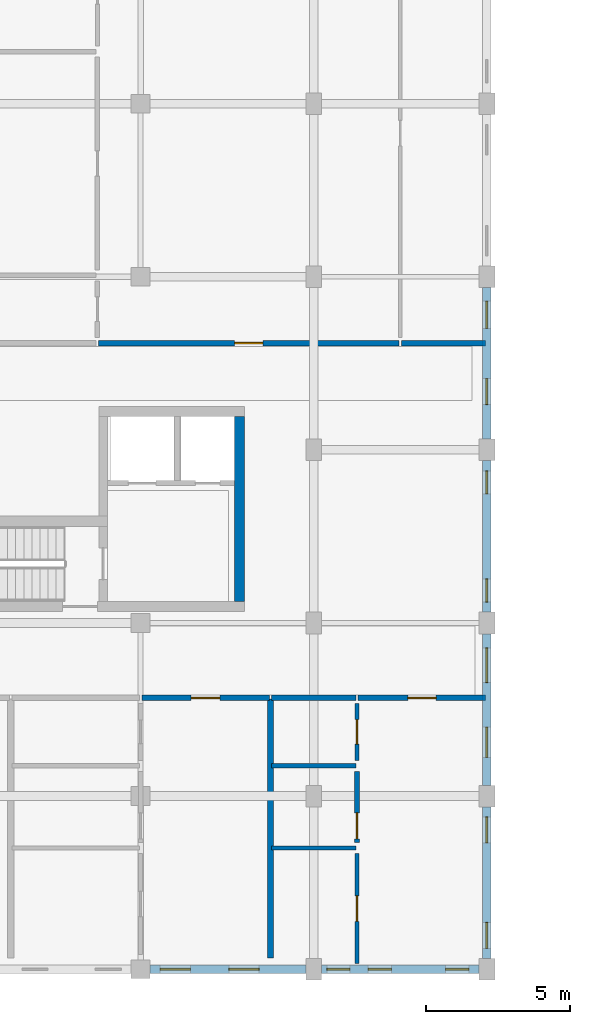
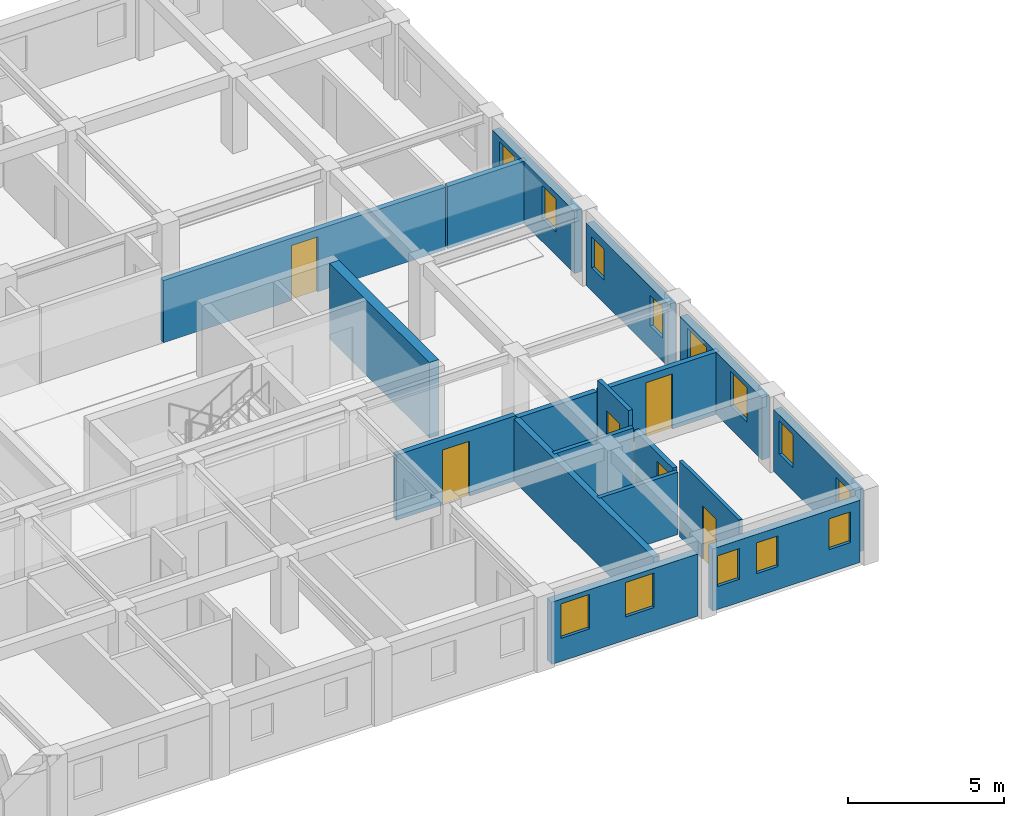
# One storey, part 75 of 100: 18 walls, 13 windows, 6 doors, 19 openings.
"""IFC4 building model written with IfcOpenShell, lengths in metres."""

from ifc_helpers import new_model, si_unit, direction, frame, frame_2d, origin, place, context, subcontext, project, spatial, rectangle, extrude, material, layer, layer_set, type_object, element, fill, save


model = new_model("IFC4")

# Units and contexts
model_context = context("Model", 3, precision=1e-05, world=origin(), true_north=direction((0.0, 1.0)))
body_context = subcontext(model_context, "Body", "Model", "MODEL_VIEW")
ifc_project = project(units=[si_unit("LENGTHUNIT", "METRE"), si_unit("AREAUNIT", "SQUARE_METRE"), si_unit("VOLUMEUNIT", "CUBIC_METRE"), si_unit("PLANEANGLEUNIT", "RADIAN"), si_unit("MASSUNIT", "GRAM", prefix="KILO"), si_unit("POWERUNIT", "WATT"), si_unit("THERMODYNAMICTEMPERATUREUNIT", "KELVIN")], contexts=[model_context])

# Site, building, storey
site_placement = place(None, origin())
site = spatial("IfcSite", under=ifc_project, at=site_placement, CompositionType="ELEMENT")
building_placement = place(site_placement, origin())
building = spatial("IfcBuilding", under=site, at=building_placement, Name="Ruvembo Vaulted Housing Court", CompositionType="ELEMENT")
storey_placement = place(building_placement, frame((0.0, 0.0, 14.10009765625)))
storey = spatial("IfcBuildingStorey", under=building, at=storey_placement, Name="L04", CompositionType="ELEMENT", Elevation=14.10009765625)

# Wall
ifc_material_1 = material(Name="Concrete C35/45", Category="concrete")
ifc_layer_1 = layer(ifc_material_1, 0.35009765625, Name="Concrete C35/45")
ifc_layer_set_1 = layer_set([ifc_layer_1], Name="Concrete C35/45")
wall_type_1 = type_object("IfcWallType", Name="WL-CORE-350", PredefinedType="SHEAR", material=ifc_layer_set_1)
wall_1_placement = place(storey_placement, frame((129.425048828125, 12.75, 0.0), z_axis=(0.0, 0.0, 1.0), x_axis=(0.0, 1.0, 0.0)))
element("IfcWall", 1, at=wall_1_placement, inside=storey, type_object=wall_type_1, Name="Core C2 L04 East Shear Wall", PredefinedType="SHEAR", context=body_context, shape_type="SweptSolid", body=[
    extrude(rectangle(XDim=6.39990234375, YDim=0.35009765625, at=frame_2d((3.199951171875, 0.0))), origin(), (0.0, 0.0, 1.0), 2.949951171875),
])

# Wall, opening, door
ifc_material_2 = material(Name="Concrete Blockwork 190", Category="masonry")
ifc_layer_2 = layer(ifc_material_2, 0.18994140625, Name="Concrete Blockwork 190")
ifc_layer_set_2 = layer_set([ifc_layer_2], Name="Concrete Blockwork 190")
wall_type_2 = type_object("IfcWallType", Name="WL-CORR-190", PredefinedType="SOLIDWALL", material=ifc_layer_set_2)
wall_2_placement = place(storey_placement, frame((126.0400390625, 9.39990234375, 0.0), z_axis=(0.0, 0.0, 1.0), x_axis=(1.0, 0.0, 0.0)))
wall_2 = element("IfcWall", 2, at=wall_2_placement, inside=storey, type_object=wall_type_2, Name="L04 Flat C-L04-S3 Entrance WL-INT-L04-01205", PredefinedType="SOLIDWALL", context=body_context, shape_type="SweptSolid", body=[
    extrude(rectangle(XDim=4.419921875, YDim=0.18994140625, at=frame_2d((2.2099609375, 0.0))), origin(), (0.0, 0.0, 1.0), 2.5478515625),
])
opening_1_placement = place(wall_2_placement, frame((1.7099609375, 0.0, 0.0)))
opening_1 = element("IfcOpeningElement", 3, at=opening_1_placement, cuts=wall_2, Name="Opening FD1", PredefinedType="OPENING", context=body_context, shape_type="SweptSolid", body=[
    extrude(rectangle(XDim=1.0, YDim=2.14990234375, at=frame_2d((0.5, 1.074951171875))), frame((0.0, 0.10498046875, 0.0), z_axis=(0.0, -1.0, 0.0), x_axis=(1.0, 0.0, 0.0)), (0.0, 0.0, 1.0), 0.2099609375),
])
ifc_material_3 = material(Name="FSC Hardwood and Engineered Timber", Category="wood")
door_type_1 = type_object("IfcDoorType", Name="DR-FLAT-1000x2150", OperationType="NOTDEFINED", PredefinedType="DOOR", material=ifc_material_3)
door_1_placement = place(opening_1_placement, origin())
door_1 = element("IfcDoor", 4, at=door_1_placement, inside=storey, type_object=door_type_1, Name="L04 Flat C-L04-S3 Entrance Door DR-INT-L04-00672", OperationType="SINGLE_SWING_RIGHT", OverallHeight=2.14990234375, OverallWidth=1.0, PredefinedType="DOOR", context=body_context, shape_type="SweptSolid", body=[
    extrude(rectangle(XDim=1.0, YDim=2.14990234375, at=frame_2d((0.5, 1.074951171875))), frame((0.0, 0.02490234375, 0.0), z_axis=(0.0, -1.0, 0.0), x_axis=(1.0, 0.0, 0.0)), (0.0, 0.0, 1.0), 0.050048828125),
])
fill(opening_1, door_1)

# Wall
wall_3_placement = place(storey_placement, frame((130.5400390625, 9.39990234375, 0.0), z_axis=(0.0, 0.0, 1.0), x_axis=(1.0, 0.0, 0.0)))
element("IfcWall", 5, at=wall_3_placement, inside=storey, type_object=wall_type_2, Name="L04 Flat C-L04-S4 Corridor Wall WL-INT-L04-01211", PredefinedType="SOLIDWALL", context=body_context, shape_type="SweptSolid", body=[
    extrude(rectangle(XDim=2.919921875, YDim=0.18994140625, at=frame_2d((1.4599609375, 0.0))), origin(), (0.0, 0.0, 1.0), 2.431884765625),
])

# Wall, opening, door
wall_4_placement = place(storey_placement, frame((133.5400390625, 9.39990234375, 0.0), z_axis=(0.0, 0.0, 1.0), x_axis=(1.0, 0.0, 0.0)))
wall_4 = element("IfcWall", 6, at=wall_4_placement, inside=storey, type_object=wall_type_2, Name="L04 Flat C-L04-S4 Entrance WL-INT-L04-01212", PredefinedType="SOLIDWALL", context=body_context, shape_type="SweptSolid", body=[
    extrude(rectangle(XDim=4.419921875, YDim=0.18994140625, at=frame_2d((2.2099609375, 0.0))), origin(), (0.0, 0.0, 1.0), 2.431884765625),
])
opening_2_placement = place(wall_4_placement, frame((1.719970703125, 0.0, 0.0)))
opening_2 = element("IfcOpeningElement", 7, at=opening_2_placement, cuts=wall_4, Name="Opening FD2", PredefinedType="OPENING", context=body_context, shape_type="SweptSolid", body=[
    extrude(rectangle(XDim=0.97998046875, YDim=2.14990234375, at=frame_2d((0.489990234375, 1.074951171875))), frame((0.0, 0.10498046875, 0.0), z_axis=(0.0, -1.0, 0.0), x_axis=(1.0, 0.0, 0.0)), (0.0, 0.0, 1.0), 0.2099609375),
])
door_type_2 = type_object("IfcDoorType", Name="DR-FLAT-0980x2150", OperationType="NOTDEFINED", PredefinedType="DOOR", material=ifc_material_3)
door_2_placement = place(opening_2_placement, origin())
door_2 = element("IfcDoor", 8, at=door_2_placement, inside=storey, type_object=door_type_2, Name="L04 Flat C-L04-S4 Entrance Door DR-INT-L04-00676", OperationType="SINGLE_SWING_RIGHT", OverallHeight=2.14990234375, OverallWidth=0.97998046875, PredefinedType="DOOR", context=body_context, shape_type="SweptSolid", body=[
    extrude(rectangle(XDim=0.97998046875, YDim=2.14990234375, at=frame_2d((0.489990234375, 1.074951171875))), frame((0.0, 0.02490234375, 0.0), z_axis=(0.0, -1.0, 0.0), x_axis=(1.0, 0.0, 0.0)), (0.0, 0.0, 1.0), 0.050048828125),
])
fill(opening_2, door_2)

wall_5_placement = place(storey_placement, frame((124.5400390625, 21.699951171875, 0.0), z_axis=(0.0, 0.0, 1.0), x_axis=(1.0, 0.0, 0.0)))
wall_5 = element("IfcWall", 9, at=wall_5_placement, inside=storey, type_object=wall_type_2, Name="L04 Flat C-L04-N2 Entrance WL-INT-L04-01229", PredefinedType="SOLIDWALL", context=body_context, shape_type="SweptSolid", body=[
    extrude(rectangle(XDim=10.419921875, YDim=0.18994140625, at=frame_2d((5.2099609375, 0.0))), origin(), (0.0, 0.0, 1.0), 2.431884765625),
])
opening_3_placement = place(wall_5_placement, frame((4.719970703125, 0.0, 0.0)))
opening_3 = element("IfcOpeningElement", 10, at=opening_3_placement, cuts=wall_5, Name="Opening FD2", PredefinedType="OPENING", context=body_context, shape_type="SweptSolid", body=[
    extrude(rectangle(XDim=0.97998046875, YDim=2.14990234375, at=frame_2d((0.489990234375, 1.074951171875))), frame((0.0, 0.10498046875, 0.0), z_axis=(0.0, -1.0, 0.0), x_axis=(1.0, 0.0, 0.0)), (0.0, 0.0, 1.0), 0.2099609375),
])
door_3_placement = place(opening_3_placement, origin())
door_3 = element("IfcDoor", 11, at=door_3_placement, inside=storey, type_object=door_type_2, Name="L04 Flat C-L04-N2 Entrance Door DR-INT-L04-00685", OperationType="SINGLE_SWING_LEFT", OverallHeight=2.14990234375, OverallWidth=0.97998046875, PredefinedType="DOOR", context=body_context, shape_type="SweptSolid", body=[
    extrude(rectangle(XDim=0.97998046875, YDim=2.14990234375, at=frame_2d((0.489990234375, 1.074951171875))), frame((0.0, 0.02490234375, 0.0), z_axis=(0.0, -1.0, 0.0), x_axis=(1.0, 0.0, 0.0)), (0.0, 0.0, 1.0), 0.050048828125),
])
fill(opening_3, door_3)

# Walls
wall_6_placement = place(storey_placement, frame((135.0400390625, 21.699951171875, 0.0), z_axis=(0.0, 0.0, 1.0), x_axis=(1.0, 0.0, 0.0)))
element("IfcWall", 12, at=wall_6_placement, inside=storey, type_object=wall_type_2, Name="L04 Flat C-L04-N2 Corridor Wall 2 WL-INT-L04-01235", PredefinedType="SOLIDWALL", context=body_context, shape_type="SweptSolid", body=[
    extrude(rectangle(XDim=2.919921875, YDim=0.18994140625, at=frame_2d((1.4599609375, 0.0))), origin(), (0.0, 0.0, 1.0), 2.431884765625),
])
ifc_material_4 = material(Name="Acoustic Masonry Demising 220", Category="masonry")
ifc_layer_3 = layer(ifc_material_4, 0.219970703125, Name="Acoustic Masonry Demising 220")
ifc_layer_set_3 = layer_set([ifc_layer_3], Name="Acoustic Masonry Demising 220")
wall_type_3 = type_object("IfcWallType", Name="WL-DEM-200", PredefinedType="SOLIDWALL", material=ifc_layer_set_3)
wall_7_placement = place(storey_placement, frame((130.5, 0.389892578125, 0.0), z_axis=(0.0, 0.0, 1.0), x_axis=(0.0, 1.0, 0.0)))
element("IfcWall", 13, at=wall_7_placement, inside=storey, type_object=wall_type_3, Name="L04 Demising C-L04-S3 WL-INT-L04-01203", PredefinedType="SOLIDWALL", context=body_context, shape_type="SweptSolid", body=[
    extrude(rectangle(XDim=8.97021484375, YDim=0.219970703125, at=frame_2d((4.485107421875, 0.0))), origin(), (0.0, 0.0, 1.0), 2.431884765625),
])

# Wall, openings, windows
ifc_material_5 = material(Name="Rendered Masonry 285", Category="masonry")
ifc_layer_4 = layer(ifc_material_5, 0.284912109375, Name="Rendered Masonry 285")
ifc_layer_set_4 = layer_set([ifc_layer_4], Name="Rendered Masonry 285")
wall_type_4 = type_object("IfcWallType", Name="WL-EXT-285", PredefinedType="STANDARD", material=ifc_layer_set_4)
wall_8_placement = place(storey_placement, frame((126.324951171875, 0.0, 0.0), z_axis=(0.0, 0.0, 1.0), x_axis=(1.0, 0.0, 0.0)))
wall_8 = element("IfcWall", 14, at=wall_8_placement, inside=storey, type_object=wall_type_4, Name="Block C L04 Exterior Wall STREET #5", PredefinedType="STANDARD", context=body_context, shape_type="SweptSolid", body=[
    extrude(rectangle(XDim=5.400146484375, YDim=0.284912109375, at=frame_2d((2.7001953125, 0.0))), origin(), (0.0, 0.0, 1.0), 2.431884765625),
])
opening_4_placement = place(wall_8_placement, frame((0.35009765625, 0.0, 0.89990234375)))
opening_4 = element("IfcOpeningElement", 15, at=opening_4_placement, cuts=wall_8, Name="Opening W09", PredefinedType="OPENING", context=body_context, shape_type="SweptSolid", body=[
    extrude(rectangle(XDim=1.050048828125, YDim=1.35009765625, at=frame_2d((0.52490234375, 0.675048828125))), frame((0.0, 0.15234375, 0.0), z_axis=(0.0, -1.0, 0.0), x_axis=(1.0, 0.0, 0.0)), (0.0, 0.0, 1.0), 0.304931640625),
])
opening_5_placement = place(wall_8_placement, frame((2.735107421875, 0.0, 0.89990234375)))
opening_5 = element("IfcOpeningElement", 16, at=opening_5_placement, cuts=wall_8, Name="Opening W09", PredefinedType="OPENING", context=body_context, shape_type="SweptSolid", body=[
    extrude(rectangle(XDim=1.050048828125, YDim=1.35009765625, at=frame_2d((0.52490234375, 0.675048828125))), frame((0.0, 0.15234375, 0.0), z_axis=(0.0, -1.0, 0.0), x_axis=(1.0, 0.0, 0.0)), (0.0, 0.0, 1.0), 0.304931640625),
])
ifc_material_6 = material(Name="Double Solar-Control Glazing in Aluminium Frame", Category="aluminium")
window_type_1 = type_object("IfcWindowType", Name="WIN-1050x1350", PartitioningType="SINGLE_PANEL", PredefinedType="WINDOW", material=ifc_material_6)
window_1_placement = place(opening_4_placement, origin())
window_1 = element("IfcWindow", 17, at=window_1_placement, inside=storey, type_object=window_type_1, Name="Block C L04 Window #1246", OverallHeight=1.35009765625, OverallWidth=1.050048828125, PartitioningType="SINGLE_PANEL", PredefinedType="WINDOW", context=body_context, shape_type="SweptSolid", body=[
    extrude(rectangle(XDim=1.050048828125, YDim=1.35009765625, at=frame_2d((0.52490234375, 0.675048828125))), frame((0.0, 0.030029296875, 0.0), z_axis=(0.0, -1.0, 0.0), x_axis=(1.0, 0.0, 0.0)), (0.0, 0.0, 1.0), 0.06005859375),
])
fill(opening_4, window_1)
window_2_placement = place(opening_5_placement, origin())
window_2 = element("IfcWindow", 18, at=window_2_placement, inside=storey, type_object=window_type_1, Name="Block C L04 Window #1247", OverallHeight=1.35009765625, OverallWidth=1.050048828125, PartitioningType="SINGLE_PANEL", PredefinedType="WINDOW", context=body_context, shape_type="SweptSolid", body=[
    extrude(rectangle(XDim=1.050048828125, YDim=1.35009765625, at=frame_2d((0.52490234375, 0.675048828125))), frame((0.0, 0.030029296875, 0.0), z_axis=(0.0, -1.0, 0.0), x_axis=(1.0, 0.0, 0.0)), (0.0, 0.0, 1.0), 0.06005859375),
])
fill(opening_5, window_2)

wall_9_placement = place(storey_placement, frame((132.27490234375, 0.0, 0.0), z_axis=(0.0, 0.0, 1.0), x_axis=(1.0, 0.0, 0.0)))
wall_9 = element("IfcWall", 19, at=wall_9_placement, inside=storey, type_object=wall_type_4, Name="Block C L04 Exterior Wall STREET #6", PredefinedType="STANDARD", context=body_context, shape_type="SweptSolid", body=[
    extrude(rectangle(XDim=5.4501953125, YDim=0.284912109375, at=frame_2d((2.72509765625, 0.0))), origin(), (0.0, 0.0, 1.0), 2.431884765625),
])
opening_6_placement = place(wall_9_placement, frame((1.614990234375, 0.0, 0.89990234375)))
opening_6 = element("IfcOpeningElement", 20, at=opening_6_placement, cuts=wall_9, Name="Opening W02", PredefinedType="OPENING", context=body_context, shape_type="SweptSolid", body=[
    extrude(rectangle(XDim=0.800048828125, YDim=1.199951171875, at=frame_2d((0.39990234375, 0.60009765625))), frame((0.0, 0.15234375, 0.0), z_axis=(0.0, -1.0, 0.0), x_axis=(1.0, 0.0, 0.0)), (0.0, 0.0, 1.0), 0.304931640625),
])
opening_7_placement = place(wall_9_placement, frame((4.300048828125, 0.0, 0.89990234375)))
opening_7 = element("IfcOpeningElement", 21, at=opening_7_placement, cuts=wall_9, Name="Opening W02", PredefinedType="OPENING", context=body_context, shape_type="SweptSolid", body=[
    extrude(rectangle(XDim=0.800048828125, YDim=1.199951171875, at=frame_2d((0.39990234375, 0.60009765625))), frame((0.0, 0.15234375, 0.0), z_axis=(0.0, -1.0, 0.0), x_axis=(1.0, 0.0, 0.0)), (0.0, 0.0, 1.0), 0.304931640625),
])
opening_8_placement = place(wall_9_placement, frame((0.18115234375, 0.0, 0.89990234375)))
opening_8 = element("IfcOpeningElement", 22, at=opening_8_placement, cuts=wall_9, Name="Opening W02", PredefinedType="OPENING", context=body_context, shape_type="SweptSolid", body=[
    extrude(rectangle(XDim=0.800048828125, YDim=1.199951171875, at=frame_2d((0.39990234375, 0.60009765625))), frame((0.0, 0.15234375, 0.0), z_axis=(0.0, -1.0, 0.0), x_axis=(1.0, 0.0, 0.0)), (0.0, 0.0, 1.0), 0.304931640625),
])
window_type_2 = type_object("IfcWindowType", Name="WIN-0800x1200", PartitioningType="SINGLE_PANEL", PredefinedType="WINDOW", material=ifc_material_6)
window_3_placement = place(opening_6_placement, origin())
window_3 = element("IfcWindow", 23, at=window_3_placement, inside=storey, type_object=window_type_2, Name="Block C L04 Window #1248", OverallHeight=1.199951171875, OverallWidth=0.800048828125, PartitioningType="SINGLE_PANEL", PredefinedType="WINDOW", context=body_context, shape_type="SweptSolid", body=[
    extrude(rectangle(XDim=0.800048828125, YDim=1.199951171875, at=frame_2d((0.39990234375, 0.60009765625))), frame((0.0, 0.030029296875, 0.0), z_axis=(0.0, -1.0, 0.0), x_axis=(1.0, 0.0, 0.0)), (0.0, 0.0, 1.0), 0.06005859375),
])
fill(opening_6, window_3)
window_4_placement = place(opening_7_placement, origin())
window_4 = element("IfcWindow", 24, at=window_4_placement, inside=storey, type_object=window_type_2, Name="Block C L04 Window #1249", OverallHeight=1.199951171875, OverallWidth=0.800048828125, PartitioningType="SINGLE_PANEL", PredefinedType="WINDOW", context=body_context, shape_type="SweptSolid", body=[
    extrude(rectangle(XDim=0.800048828125, YDim=1.199951171875, at=frame_2d((0.39990234375, 0.60009765625))), frame((0.0, 0.030029296875, 0.0), z_axis=(0.0, -1.0, 0.0), x_axis=(1.0, 0.0, 0.0)), (0.0, 0.0, 1.0), 0.06005859375),
])
fill(opening_7, window_4)
window_5_placement = place(opening_8_placement, origin())
window_5 = element("IfcWindow", 25, at=window_5_placement, inside=storey, type_object=window_type_2, Name="Block C L04 Window #2077", OverallHeight=1.199951171875, OverallWidth=0.800048828125, PartitioningType="SINGLE_PANEL", PredefinedType="WINDOW", context=body_context, shape_type="SweptSolid", body=[
    extrude(rectangle(XDim=0.800048828125, YDim=1.199951171875, at=frame_2d((0.39990234375, 0.60009765625))), frame((0.0, 0.030029296875, 0.0), z_axis=(0.0, -1.0, 0.0), x_axis=(1.0, 0.0, 0.0)), (0.0, 0.0, 1.0), 0.06005859375),
])
fill(opening_8, window_5)

wall_10_placement = place(storey_placement, frame((138.0, 0.375, 0.0), z_axis=(0.0, 0.0, 1.0), x_axis=(0.0, 1.0, 0.0)))
wall_10 = element("IfcWall", 26, at=wall_10_placement, inside=storey, type_object=wall_type_4, Name="Block C L04 Exterior Wall EAST #1", PredefinedType="STANDARD", context=body_context, shape_type="SweptSolid", body=[
    extrude(rectangle(XDim=5.25, YDim=0.284912109375, at=frame_2d((2.625, 0.0))), origin(), (0.0, 0.0, 1.0), 2.431884765625),
])
opening_9_placement = place(wall_10_placement, frame((0.35009765625, 0.0, 0.89990234375)))
opening_9 = element("IfcOpeningElement", 27, at=opening_9_placement, cuts=wall_10, Name="Opening W04", PredefinedType="OPENING", context=body_context, shape_type="SweptSolid", body=[
    extrude(rectangle(XDim=0.89990234375, YDim=1.300048828125, at=frame_2d((0.449951171875, 0.64990234375))), frame((0.0, 0.15234375, 0.0), z_axis=(0.0, -1.0, 0.0), x_axis=(1.0, 0.0, 0.0)), (0.0, 0.0, 1.0), 0.304931640625),
])
opening_10_placement = place(wall_10_placement, frame((4.0, 0.0, 0.89990234375)))
opening_10 = element("IfcOpeningElement", 28, at=opening_10_placement, cuts=wall_10, Name="Opening W04", PredefinedType="OPENING", context=body_context, shape_type="SweptSolid", body=[
    extrude(rectangle(XDim=0.89990234375, YDim=1.300048828125, at=frame_2d((0.449951171875, 0.64990234375))), frame((0.0, 0.15234375, 0.0), z_axis=(0.0, -1.0, 0.0), x_axis=(1.0, 0.0, 0.0)), (0.0, 0.0, 1.0), 0.304931640625),
])
window_type_3 = type_object("IfcWindowType", Name="WIN-0900x1300", PartitioningType="SINGLE_PANEL", PredefinedType="WINDOW", material=ifc_material_6)
window_6_placement = place(opening_9_placement, origin())
window_6 = element("IfcWindow", 29, at=window_6_placement, inside=storey, type_object=window_type_3, Name="Block C L04 Window #1250", OverallHeight=1.300048828125, OverallWidth=0.89990234375, PartitioningType="SINGLE_PANEL", PredefinedType="WINDOW", context=body_context, shape_type="SweptSolid", body=[
    extrude(rectangle(XDim=0.89990234375, YDim=1.300048828125, at=frame_2d((0.449951171875, 0.64990234375))), frame((0.0, 0.030029296875, 0.0), z_axis=(0.0, -1.0, 0.0), x_axis=(1.0, 0.0, 0.0)), (0.0, 0.0, 1.0), 0.06005859375),
])
fill(opening_9, window_6)
window_7_placement = place(opening_10_placement, origin())
window_7 = element("IfcWindow", 30, at=window_7_placement, inside=storey, type_object=window_type_3, Name="Block C L04 Window #1251", OverallHeight=1.300048828125, OverallWidth=0.89990234375, PartitioningType="SINGLE_PANEL", PredefinedType="WINDOW", context=body_context, shape_type="SweptSolid", body=[
    extrude(rectangle(XDim=0.89990234375, YDim=1.300048828125, at=frame_2d((0.449951171875, 0.64990234375))), frame((0.0, 0.030029296875, 0.0), z_axis=(0.0, -1.0, 0.0), x_axis=(1.0, 0.0, 0.0)), (0.0, 0.0, 1.0), 0.06005859375),
])
fill(opening_10, window_7)

wall_11_placement = place(storey_placement, frame((138.0, 6.375, 0.0), z_axis=(0.0, 0.0, 1.0), x_axis=(0.0, 1.0, 0.0)))
wall_11 = element("IfcWall", 31, at=wall_11_placement, inside=storey, type_object=wall_type_4, Name="Block C L04 Exterior Wall EAST #2", PredefinedType="STANDARD", context=body_context, shape_type="SweptSolid", body=[
    extrude(rectangle(XDim=5.25, YDim=0.284912109375, at=frame_2d((2.625, 0.0))), origin(), (0.0, 0.0, 1.0), 2.431884765625),
])
opening_11_placement = place(wall_11_placement, frame((0.967529296875, 0.0, 0.89990234375)))
opening_11 = element("IfcOpeningElement", 32, at=opening_11_placement, cuts=wall_11, Name="Opening W09", PredefinedType="OPENING", context=body_context, shape_type="SweptSolid", body=[
    extrude(rectangle(XDim=1.050048828125, YDim=1.35009765625, at=frame_2d((0.52490234375, 0.675048828125))), frame((0.0, 0.15234375, 0.0), z_axis=(0.0, -1.0, 0.0), x_axis=(1.0, 0.0, 0.0)), (0.0, 0.0, 1.0), 0.304931640625),
])
opening_12_placement = place(wall_11_placement, frame((3.5576171875, 0.0, 0.89990234375)))
opening_12 = element("IfcOpeningElement", 33, at=opening_12_placement, cuts=wall_11, Name="Opening W12", PredefinedType="OPENING", context=body_context, shape_type="SweptSolid", body=[
    extrude(rectangle(XDim=1.199951171875, YDim=1.35009765625, at=frame_2d((0.60009765625, 0.675048828125))), frame((0.0, 0.15234375, 0.0), z_axis=(0.0, -1.0, 0.0), x_axis=(1.0, 0.0, 0.0)), (0.0, 0.0, 1.0), 0.304931640625),
])
window_8_placement = place(opening_11_placement, origin())
window_8 = element("IfcWindow", 34, at=window_8_placement, inside=storey, type_object=window_type_1, Name="Block C L04 Window #1252", OverallHeight=1.35009765625, OverallWidth=1.050048828125, PartitioningType="SINGLE_PANEL", PredefinedType="WINDOW", context=body_context, shape_type="SweptSolid", body=[
    extrude(rectangle(XDim=1.050048828125, YDim=1.35009765625, at=frame_2d((0.52490234375, 0.675048828125))), frame((0.0, 0.030029296875, 0.0), z_axis=(0.0, -1.0, 0.0), x_axis=(1.0, 0.0, 0.0)), (0.0, 0.0, 1.0), 0.06005859375),
])
fill(opening_11, window_8)
window_type_4 = type_object("IfcWindowType", Name="WIN-1200x1350", PartitioningType="SINGLE_PANEL", PredefinedType="WINDOW", material=ifc_material_6)
window_9_placement = place(opening_12_placement, origin())
window_9 = element("IfcWindow", 35, at=window_9_placement, inside=storey, type_object=window_type_4, Name="Block C L04 Window #1253", OverallHeight=1.35009765625, OverallWidth=1.199951171875, PartitioningType="SINGLE_PANEL", PredefinedType="WINDOW", context=body_context, shape_type="SweptSolid", body=[
    extrude(rectangle(XDim=1.199951171875, YDim=1.35009765625, at=frame_2d((0.60009765625, 0.675048828125))), frame((0.0, 0.030029296875, 0.0), z_axis=(0.0, -1.0, 0.0), x_axis=(1.0, 0.0, 0.0)), (0.0, 0.0, 1.0), 0.06005859375),
])
fill(opening_12, window_9)

wall_12_placement = place(storey_placement, frame((138.0, 12.375, 0.0), z_axis=(0.0, 0.0, 1.0), x_axis=(0.0, 1.0, 0.0)))
wall_12 = element("IfcWall", 36, at=wall_12_placement, inside=storey, type_object=wall_type_4, Name="Block C L04 Exterior Wall EAST #3", PredefinedType="STANDARD", context=body_context, shape_type="SweptSolid", body=[
    extrude(rectangle(XDim=5.25, YDim=0.284912109375, at=frame_2d((2.625, 0.0))), origin(), (0.0, 0.0, 1.0), 2.431884765625),
])
opening_13_placement = place(wall_12_placement, frame((0.35009765625, 0.0, 0.89990234375)))
opening_13 = element("IfcOpeningElement", 37, at=opening_13_placement, cuts=wall_12, Name="Opening W02", PredefinedType="OPENING", context=body_context, shape_type="SweptSolid", body=[
    extrude(rectangle(XDim=0.800048828125, YDim=1.199951171875, at=frame_2d((0.39990234375, 0.60009765625))), frame((0.0, 0.15234375, 0.0), z_axis=(0.0, -1.0, 0.0), x_axis=(1.0, 0.0, 0.0)), (0.0, 0.0, 1.0), 0.304931640625),
])
opening_14_placement = place(wall_12_placement, frame((4.10009765625, 0.0, 0.89990234375)))
opening_14 = element("IfcOpeningElement", 38, at=opening_14_placement, cuts=wall_12, Name="Opening W02", PredefinedType="OPENING", context=body_context, shape_type="SweptSolid", body=[
    extrude(rectangle(XDim=0.800048828125, YDim=1.199951171875, at=frame_2d((0.39990234375, 0.60009765625))), frame((0.0, 0.15234375, 0.0), z_axis=(0.0, -1.0, 0.0), x_axis=(1.0, 0.0, 0.0)), (0.0, 0.0, 1.0), 0.304931640625),
])
window_10_placement = place(opening_13_placement, origin())
window_10 = element("IfcWindow", 39, at=window_10_placement, inside=storey, type_object=window_type_2, Name="Block C L04 Window #1254", OverallHeight=1.199951171875, OverallWidth=0.800048828125, PartitioningType="SINGLE_PANEL", PredefinedType="WINDOW", context=body_context, shape_type="SweptSolid", body=[
    extrude(rectangle(XDim=0.800048828125, YDim=1.199951171875, at=frame_2d((0.39990234375, 0.60009765625))), frame((0.0, 0.030029296875, 0.0), z_axis=(0.0, -1.0, 0.0), x_axis=(1.0, 0.0, 0.0)), (0.0, 0.0, 1.0), 0.06005859375),
])
fill(opening_13, window_10)
window_11_placement = place(opening_14_placement, origin())
window_11 = element("IfcWindow", 40, at=window_11_placement, inside=storey, type_object=window_type_2, Name="Block C L04 Window #1255", OverallHeight=1.199951171875, OverallWidth=0.800048828125, PartitioningType="SINGLE_PANEL", PredefinedType="WINDOW", context=body_context, shape_type="SweptSolid", body=[
    extrude(rectangle(XDim=0.800048828125, YDim=1.199951171875, at=frame_2d((0.39990234375, 0.60009765625))), frame((0.0, 0.030029296875, 0.0), z_axis=(0.0, -1.0, 0.0), x_axis=(1.0, 0.0, 0.0)), (0.0, 0.0, 1.0), 0.06005859375),
])
fill(opening_14, window_11)

wall_13_placement = place(storey_placement, frame((138.0, 18.375, 0.0), z_axis=(0.0, 0.0, 1.0), x_axis=(0.0, 1.0, 0.0)))
wall_13 = element("IfcWall", 41, at=wall_13_placement, inside=storey, type_object=wall_type_4, Name="Block C L04 Exterior Wall EAST #4", PredefinedType="STANDARD", context=body_context, shape_type="SweptSolid", body=[
    extrude(rectangle(XDim=5.25, YDim=0.284912109375, at=frame_2d((2.625, 0.0))), origin(), (0.0, 0.0, 1.0), 2.431884765625),
])
opening_15_placement = place(wall_13_placement, frame((1.1923828125, 0.0, 0.89990234375)))
opening_15 = element("IfcOpeningElement", 42, at=opening_15_placement, cuts=wall_13, Name="Opening W04", PredefinedType="OPENING", context=body_context, shape_type="SweptSolid", body=[
    extrude(rectangle(XDim=0.89990234375, YDim=1.300048828125, at=frame_2d((0.449951171875, 0.64990234375))), frame((0.0, 0.15234375, 0.0), z_axis=(0.0, -1.0, 0.0), x_axis=(1.0, 0.0, 0.0)), (0.0, 0.0, 1.0), 0.304931640625),
])
opening_16_placement = place(wall_13_placement, frame((3.83251953125, 0.0, 0.89990234375)))
opening_16 = element("IfcOpeningElement", 43, at=opening_16_placement, cuts=wall_13, Name="Opening W07", PredefinedType="OPENING", context=body_context, shape_type="SweptSolid", body=[
    extrude(rectangle(XDim=0.949951171875, YDim=1.35009765625, at=frame_2d((0.47509765625, 0.675048828125))), frame((0.0, 0.15234375, 0.0), z_axis=(0.0, -1.0, 0.0), x_axis=(1.0, 0.0, 0.0)), (0.0, 0.0, 1.0), 0.304931640625),
])
window_12_placement = place(opening_15_placement, origin())
window_12 = element("IfcWindow", 44, at=window_12_placement, inside=storey, type_object=window_type_3, Name="Block C L04 Window #1256", OverallHeight=1.300048828125, OverallWidth=0.89990234375, PartitioningType="SINGLE_PANEL", PredefinedType="WINDOW", context=body_context, shape_type="SweptSolid", body=[
    extrude(rectangle(XDim=0.89990234375, YDim=1.300048828125, at=frame_2d((0.449951171875, 0.64990234375))), frame((0.0, 0.030029296875, 0.0), z_axis=(0.0, -1.0, 0.0), x_axis=(1.0, 0.0, 0.0)), (0.0, 0.0, 1.0), 0.06005859375),
])
fill(opening_15, window_12)
window_type_5 = type_object("IfcWindowType", Name="WIN-0950x1350", PartitioningType="SINGLE_PANEL", PredefinedType="WINDOW", material=ifc_material_6)
window_13_placement = place(opening_16_placement, origin())
window_13 = element("IfcWindow", 45, at=window_13_placement, inside=storey, type_object=window_type_5, Name="Block C L04 Window #1257", OverallHeight=1.35009765625, OverallWidth=0.949951171875, PartitioningType="SINGLE_PANEL", PredefinedType="WINDOW", context=body_context, shape_type="SweptSolid", body=[
    extrude(rectangle(XDim=0.949951171875, YDim=1.35009765625, at=frame_2d((0.47509765625, 0.675048828125))), frame((0.0, 0.030029296875, 0.0), z_axis=(0.0, -1.0, 0.0), x_axis=(1.0, 0.0, 0.0)), (0.0, 0.0, 1.0), 0.06005859375),
])
fill(opening_16, window_13)

# Wall, opening, door
ifc_material_7 = material(Name="Plasterboard Stud Partition 125", Category="gypsum")
ifc_layer_5 = layer(ifc_material_7, 0.125, Name="Plasterboard Stud Partition 125")
ifc_layer_set_5 = layer_set([ifc_layer_5], Name="Plasterboard Stud Partition 125")
wall_type_5 = type_object("IfcWallType", Name="WL-PART-125", PredefinedType="PARTITIONING", material=ifc_layer_set_5)
wall_14_placement = place(storey_placement, frame((133.5, 0.18994140625, 0.0), z_axis=(0.0, 0.0, 1.0), x_axis=(0.0, 1.0, 0.0)))
wall_14 = element("IfcWall", 46, at=wall_14_placement, inside=storey, type_object=wall_type_5, Name="L04 Flat C-L04-S4 Bedroom 1 WL-INT-L04-01213", PredefinedType="PARTITIONING", context=body_context, shape_type="SweptSolid", body=[
    extrude(rectangle(XDim=3.820068359375, YDim=0.125, at=frame_2d((1.91015625, 0.0))), origin(), (0.0, 0.0, 1.0), 2.949951171875),
])
opening_17_placement = place(wall_14_placement, frame((1.469970703125, 0.0, 0.0)))
opening_17 = element("IfcOpeningElement", 47, at=opening_17_placement, cuts=wall_14, Name="Opening ID3", PredefinedType="OPENING", context=body_context, shape_type="SweptSolid", body=[
    extrude(rectangle(XDim=0.8798828125, YDim=2.10009765625, at=frame_2d((0.43994140625, 1.050048828125))), frame((0.0, 0.072509765625, 0.0), z_axis=(0.0, -1.0, 0.0), x_axis=(1.0, 0.0, 0.0)), (0.0, 0.0, 1.0), 0.14501953125),
])
door_type_3 = type_object("IfcDoorType", Name="DR-ROOM-0880x2100", OperationType="NOTDEFINED", PredefinedType="DOOR", material=ifc_material_3)
door_4_placement = place(opening_17_placement, origin())
door_4 = element("IfcDoor", 48, at=door_4_placement, inside=storey, type_object=door_type_3, Name="L04 Flat C-L04-S4 Bedroom 1 Door DR-INT-L04-00677", OperationType="SINGLE_SWING_LEFT", OverallHeight=2.10009765625, OverallWidth=0.8798828125, PredefinedType="DOOR", context=body_context, shape_type="SweptSolid", body=[
    extrude(rectangle(XDim=0.8798828125, YDim=2.10009765625, at=frame_2d((0.43994140625, 1.050048828125))), frame((0.0, 0.02490234375, 0.0), z_axis=(0.0, -1.0, 0.0), x_axis=(1.0, 0.0, 0.0)), (0.0, 0.0, 1.0), 0.050048828125),
])
fill(opening_17, door_4)

ifc_material_8 = material(Name="Moisture-Resistant Wet Partition 150", Category="gypsum")
ifc_layer_6 = layer(ifc_material_8, 0.14990234375, Name="Moisture-Resistant Wet Partition 150")
ifc_layer_set_6 = layer_set([ifc_layer_6], Name="Moisture-Resistant Wet Partition 150")
wall_type_6 = type_object("IfcWallType", Name="WL-PART-150", PredefinedType="PARTITIONING", material=ifc_layer_set_6)
wall_15_placement = place(storey_placement, frame((133.5, 7.239990234375, 0.0), z_axis=(0.0, 0.0, 1.0), x_axis=(0.0, 1.0, 0.0)))
wall_15 = element("IfcWall", 49, at=wall_15_placement, inside=storey, type_object=wall_type_6, Name="L04 Flat C-L04-S4 Bathroom WL-INT-L04-01215", PredefinedType="PARTITIONING", context=body_context, shape_type="SweptSolid", body=[
    extrude(rectangle(XDim=1.969970703125, YDim=0.14990234375, at=frame_2d((0.98486328125, 0.0))), origin(), (0.0, 0.0, 1.0), 2.949951171875),
])
opening_18_placement = place(wall_15_placement, frame((0.56005859375, 0.0, 0.0)))
opening_18 = element("IfcOpeningElement", 50, at=opening_18_placement, cuts=wall_15, Name="Opening ID2", PredefinedType="OPENING", context=body_context, shape_type="SweptSolid", body=[
    extrude(rectangle(XDim=0.85009765625, YDim=2.10009765625, at=frame_2d((0.425048828125, 1.050048828125))), frame((0.0, 0.0849609375, 0.0), z_axis=(0.0, -1.0, 0.0), x_axis=(1.0, 0.0, 0.0)), (0.0, 0.0, 1.0), 0.169921875),
])
door_type_4 = type_object("IfcDoorType", Name="DR-WET-0850x2100", OperationType="NOTDEFINED", PredefinedType="DOOR", material=ifc_material_3)
door_5_placement = place(opening_18_placement, origin())
door_5 = element("IfcDoor", 51, at=door_5_placement, inside=storey, type_object=door_type_4, Name="L04 Flat C-L04-S4 Bathroom Door DR-INT-L04-00679", OperationType="SINGLE_SWING_LEFT", OverallHeight=2.10009765625, OverallWidth=0.85009765625, PredefinedType="DOOR", context=body_context, shape_type="SweptSolid", body=[
    extrude(rectangle(XDim=0.85009765625, YDim=2.10009765625, at=frame_2d((0.425048828125, 1.050048828125))), frame((0.0, 0.02490234375, 0.0), z_axis=(0.0, -1.0, 0.0), x_axis=(1.0, 0.0, 0.0)), (0.0, 0.0, 1.0), 0.050048828125),
])
fill(opening_18, door_5)

# Walls
for number, where, z_axis, x_axis, name in (
    (52, (130.5400390625, 4.199951171875, 0.0), (0.0, 0.0, 1.0), (1.0, 0.0, 0.0), "L04 Flat C-L04-S4 Wet Wall 1 WL-INT-L04-01216"),
    (53, (130.5400390625, 7.050048828125, 0.0), (0.0, 0.0, 1.0), (1.0, 0.0, 0.0), "L04 Flat C-L04-S4 Wet Wall 2 WL-INT-L04-01217"),
):
    element("IfcWall", number, at=place(storey_placement, frame(where, z_axis=z_axis, x_axis=x_axis)), inside=storey, type_object=wall_type_6, Name=name, PredefinedType="PARTITIONING", context=body_context, shape_type="SweptSolid", body=[
        extrude(rectangle(XDim=2.919921875, YDim=0.14990234375, at=frame_2d((1.4599609375, 0.0))), origin(), (0.0, 0.0, 1.0), 2.431884765625),
    ])

# Wall, opening, door
ifc_material_9 = material(Name="Acoustic Service Chase Wall 160", Category="gypsum")
ifc_layer_7 = layer(ifc_material_9, 0.159912109375, Name="Acoustic Service Chase Wall 160")
ifc_layer_set_7 = layer_set([ifc_layer_7], Name="Acoustic Service Chase Wall 160")
wall_type_7 = type_object("IfcWallType", Name="WL-PLUMB-160", PredefinedType="PLUMBINGWALL", material=ifc_layer_set_7)
wall_16_placement = place(storey_placement, frame((133.5, 4.389892578125, 0.0), z_axis=(0.0, 0.0, 1.0), x_axis=(0.0, 1.0, 0.0)))
wall_16 = element("IfcWall", 54, at=wall_16_placement, inside=storey, type_object=wall_type_7, Name="L04 Flat C-L04-S4 Kitchen WL-INT-L04-01214", PredefinedType="PLUMBINGWALL", context=body_context, shape_type="SweptSolid", body=[
    extrude(rectangle(XDim=2.47021484375, YDim=0.159912109375, at=frame_2d((1.235107421875, 0.0))), origin(), (0.0, 0.0, 1.0), 2.431884765625),
])
opening_19_placement = place(wall_16_placement, frame((0.1298828125, 0.0, 0.0)))
opening_19 = element("IfcOpeningElement", 55, at=opening_19_placement, cuts=wall_16, Name="Opening ID1", PredefinedType="OPENING", context=body_context, shape_type="SweptSolid", body=[
    extrude(rectangle(XDim=0.89990234375, YDim=2.10009765625, at=frame_2d((0.449951171875, 1.050048828125))), frame((0.0, 0.08984375, 0.0), z_axis=(0.0, -1.0, 0.0), x_axis=(1.0, 0.0, 0.0)), (0.0, 0.0, 1.0), 0.179931640625),
])
door_type_5 = type_object("IfcDoorType", Name="DR-ROOM-0900x2100", OperationType="NOTDEFINED", PredefinedType="DOOR", material=ifc_material_3)
door_6_placement = place(opening_19_placement, origin())
door_6 = element("IfcDoor", 56, at=door_6_placement, inside=storey, type_object=door_type_5, Name="L04 Flat C-L04-S4 Kitchen Door DR-INT-L04-00678", OperationType="SINGLE_SWING_RIGHT", OverallHeight=2.10009765625, OverallWidth=0.89990234375, PredefinedType="DOOR", context=body_context, shape_type="SweptSolid", body=[
    extrude(rectangle(XDim=0.89990234375, YDim=2.10009765625, at=frame_2d((0.449951171875, 1.050048828125))), frame((0.0, 0.02490234375, 0.0), z_axis=(0.0, -1.0, 0.0), x_axis=(1.0, 0.0, 0.0)), (0.0, 0.0, 1.0), 0.050048828125),
])
fill(opening_19, door_6)

save(model, "model.ifc")
